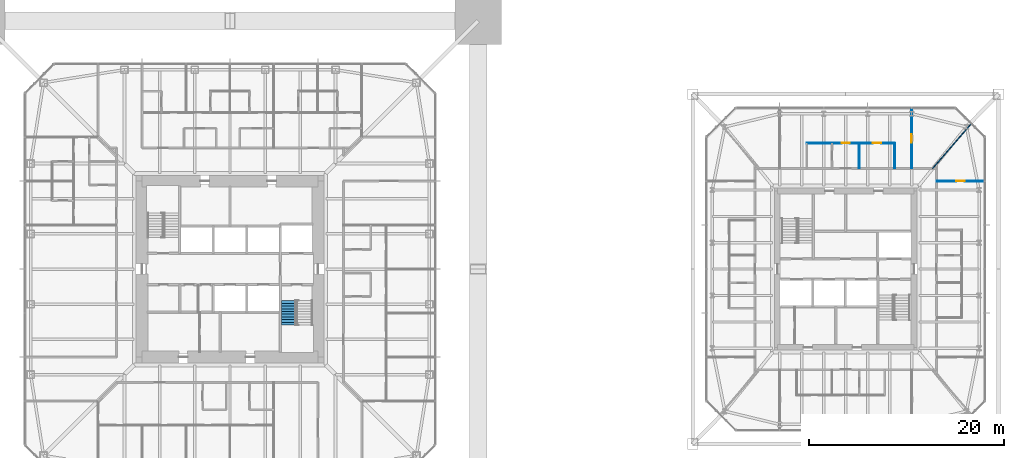
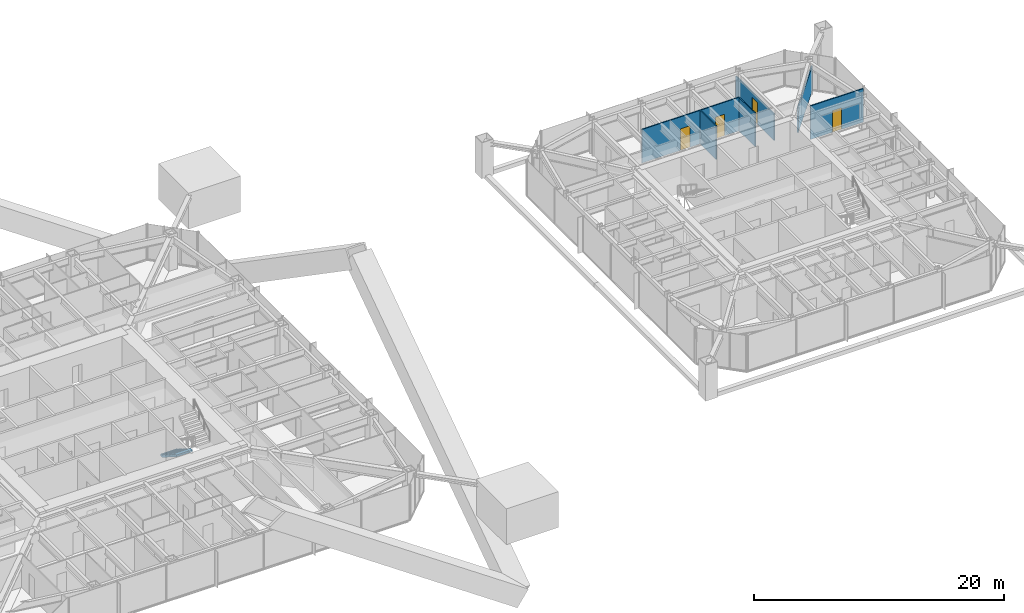
# One storey, part 20 of 26: 6 walls, 4 doors, 1 stair flight, 4 openings, 1 element without a shape of its own.
"""IFC4 building model written with IfcOpenShell, lengths in metres."""

from ifc_helpers import new_model, si_unit, direction, frame, frame_2d, origin, place, context, subcontext, project, spatial, polyline, rectangle, outline, extrude, material, layer, layer_set, constituent, constituent_set, type_object, element, fill, aggregate, save


model = new_model("IFC4")

# Units and contexts
model_context = context("Model", 3, precision=1e-05, world=origin(), true_north=direction((0.0, 1.0)))
body_context = subcontext(model_context, "Body", "Model", "MODEL_VIEW")
ifc_project = project(units=[si_unit("LENGTHUNIT", "METRE"), si_unit("AREAUNIT", "SQUARE_METRE"), si_unit("VOLUMEUNIT", "CUBIC_METRE"), si_unit("PLANEANGLEUNIT", "RADIAN"), si_unit("MASSUNIT", "GRAM", prefix="KILO")], contexts=[model_context])

# Site, building, storey
site_placement = place(None, origin())
site = spatial("IfcSite", under=ifc_project, at=site_placement, CompositionType="ELEMENT")
building_placement = place(site_placement, origin())
building = spatial("IfcBuilding", under=site, at=building_placement, Name="Iwan Alto Co-Living Towers", CompositionType="ELEMENT")
storey_placement = place(building_placement, frame((0.0, 0.0, 115.5)))
storey = spatial("IfcBuildingStorey", under=building, at=storey_placement, Name="L31", CompositionType="ELEMENT", Elevation=115.5)

# Wall, opening, door
ifc_material_1 = material(Name="Gypsum board")
ifc_layer_1 = layer(ifc_material_1, 0.012451171875, Name="Board", Category="Finish")
ifc_material_2 = material(Name="Steel ASTM A1003 ST33H cold-formed studs", Category="steel")
ifc_layer_2 = layer(ifc_material_2, 0.074951171875, Name="Studs", Category="Framing")
ifc_layer_3 = layer(ifc_material_1, 0.012451171875, Name="Board", Category="Finish")
ifc_layer_set = layer_set([ifc_layer_1, ifc_layer_2, ifc_layer_3], Name="PARTITION 100")
wall_type = type_object("IfcWallType", Name="PARTITION 100", PredefinedType="PARTITIONING", material=ifc_layer_set)
wall_1_placement = place(storey_placement, frame((72.300048828125, 9.0, 0.0), z_axis=(0.0, 0.0, 1.0), x_axis=(1.0, 0.0, 0.0)))
wall_1 = element("IfcWall", 1, at=wall_1_placement, inside=storey, type_object=wall_type, Name="Partition L31", PredefinedType="PARTITIONING", context=body_context, shape_type="SweptSolid", body=[
    extrude(rectangle(XDim=4.889892578125, YDim=0.10009765625, at=frame_2d((2.44482421875, 0.0))), origin(), (0.0, 0.0, 1.0), 3.27001953125),
])
opening_1_placement = place(wall_1_placement, frame((2.02001953125, 0.0, 0.0)))
opening_1 = element("IfcOpeningElement", 2, at=opening_1_placement, cuts=wall_1, Name="Opening D2", PredefinedType="OPENING", context=body_context, shape_type="SweptSolid", body=[
    extrude(rectangle(XDim=0.85009765625, YDim=2.10009765625, at=frame_2d((0.425048828125, 1.050048828125))), frame((0.0, 0.06005859375, 0.0), z_axis=(0.0, -1.0, 0.0), x_axis=(1.0, 0.0, 0.0)), (0.0, 0.0, 1.0), 0.1201171875),
])
ifc_material_3 = material(Name="Timber leaf in steel frame", Category="steel")
door_type = type_object("IfcDoorType", Name="ROOM DOOR 850X2100", OperationType="SINGLE_SWING_LEFT", PredefinedType="DOOR", material=ifc_material_3)
door_1_placement = place(opening_1_placement, frame((0.85009765625, 0.0, 0.0), z_axis=(0.0, 0.0, 1.0), x_axis=(-1.0, 0.0, 0.0)))
door_1 = element("IfcDoor", 3, at=door_1_placement, inside=storey, type_object=door_type, Name="Bedroom door L31", OperationType="SINGLE_SWING_RIGHT", OverallHeight=2.10009765625, OverallWidth=0.85009765625, PredefinedType="DOOR", context=body_context, shape_type="SweptSolid", body=[
    extrude(rectangle(XDim=0.85009765625, YDim=2.10009765625, at=frame_2d((0.425048828125, 1.050048828125))), frame((0.0, 0.02490234375, 0.0), z_axis=(0.0, -1.0, 0.0), x_axis=(1.0, 0.0, 0.0)), (0.0, 0.0, 1.0), 0.050048828125),
])
fill(opening_1, door_1)

# Wall, openings, doors
wall_2_placement = place(storey_placement, frame((59.0, 12.89990234375, 0.0), z_axis=(0.0, 0.0, 1.0), x_axis=(1.0, 0.0, 0.0)))
wall_2 = element("IfcWall", 4, at=wall_2_placement, inside=storey, type_object=wall_type, Name="Partition L31", PredefinedType="PARTITIONING", context=body_context, shape_type="SweptSolid", body=[
    extrude(rectangle(XDim=9.0, YDim=0.10009765625, at=frame_2d((4.5, 0.0))), origin(), (0.0, 0.0, 1.0), 3.27001953125),
])
opening_2_placement = place(wall_2_placement, frame((6.77490234375, 0.0, 0.0)))
opening_2 = element("IfcOpeningElement", 5, at=opening_2_placement, cuts=wall_2, Name="Opening D2", PredefinedType="OPENING", context=body_context, shape_type="SweptSolid", body=[
    extrude(rectangle(XDim=0.85009765625, YDim=2.10009765625, at=frame_2d((0.425048828125, 1.050048828125))), frame((0.0, 0.06005859375, 0.0), z_axis=(0.0, -1.0, 0.0), x_axis=(1.0, 0.0, 0.0)), (0.0, 0.0, 1.0), 0.1201171875),
])
opening_3_placement = place(wall_2_placement, frame((3.574951171875, 0.0, 0.0)))
opening_3 = element("IfcOpeningElement", 6, at=opening_3_placement, cuts=wall_2, Name="Opening D2", PredefinedType="OPENING", context=body_context, shape_type="SweptSolid", body=[
    extrude(rectangle(XDim=0.85009765625, YDim=2.10009765625, at=frame_2d((0.425048828125, 1.050048828125))), frame((0.0, 0.06005859375, 0.0), z_axis=(0.0, -1.0, 0.0), x_axis=(1.0, 0.0, 0.0)), (0.0, 0.0, 1.0), 0.1201171875),
])
door_2_placement = place(opening_2_placement, origin())
door_2 = element("IfcDoor", 7, at=door_2_placement, inside=storey, type_object=door_type, Name="Kitchen door L31", OperationType="SINGLE_SWING_RIGHT", OverallHeight=2.10009765625, OverallWidth=0.85009765625, PredefinedType="DOOR", context=body_context, shape_type="SweptSolid", body=[
    extrude(rectangle(XDim=0.85009765625, YDim=2.10009765625, at=frame_2d((0.425048828125, 1.050048828125))), frame((0.0, 0.02490234375, 0.0), z_axis=(0.0, -1.0, 0.0), x_axis=(1.0, 0.0, 0.0)), (0.0, 0.0, 1.0), 0.050048828125),
])
fill(opening_2, door_2)
door_3_placement = place(opening_3_placement, origin())
door_3 = element("IfcDoor", 8, at=door_3_placement, inside=storey, type_object=door_type, Name="Apartment foyer door L31", OperationType="SINGLE_SWING_LEFT", OverallHeight=2.10009765625, OverallWidth=0.85009765625, PredefinedType="DOOR", context=body_context, shape_type="SweptSolid", body=[
    extrude(rectangle(XDim=0.85009765625, YDim=2.10009765625, at=frame_2d((0.425048828125, 1.050048828125))), frame((0.0, 0.02490234375, 0.0), z_axis=(0.0, -1.0, 0.0), x_axis=(1.0, 0.0, 0.0)), (0.0, 0.0, 1.0), 0.050048828125),
])
fill(opening_3, door_3)

# Wall
wall_3_placement = place(storey_placement, frame((71.89501953125, 10.300048828125, 0.0), z_axis=(0.0, 0.0, 1.0), x_axis=(0.65378286253, 0.756682211144, 0.0)))
element("IfcWall", 9, at=wall_3_placement, inside=storey, type_object=wall_type, Name="Partition L31", PredefinedType="PARTITIONING", context=body_context, shape_type="SweptSolid", body=[
    extrude(rectangle(XDim=6.005126953125, YDim=0.10009765625, at=frame_2d((3.00244140625, 0.0))), origin(), (0.0, 0.0, 1.0), 2.42919921875),
])

# Wall, opening, door
wall_4_placement = place(storey_placement, frame((69.75, 10.300048828125, 0.0), z_axis=(0.0, 0.0, 1.0), x_axis=(0.0, 1.0, 0.0)))
wall_4 = element("IfcWall", 10, at=wall_4_placement, inside=storey, type_object=wall_type, Name="Partition L31", PredefinedType="PARTITIONING", context=body_context, shape_type="SweptSolid", body=[
    extrude(rectangle(XDim=6.139892578125, YDim=0.10009765625, at=frame_2d((3.06982421875, 0.0))), origin(), (0.0, 0.0, 1.0), 2.586669921875),
])
opening_4_placement = place(wall_4_placement, frame((2.64501953125, 0.0, 0.0)))
opening_4 = element("IfcOpeningElement", 11, at=opening_4_placement, cuts=wall_4, Name="Opening D2", PredefinedType="OPENING", context=body_context, shape_type="SweptSolid", body=[
    extrude(rectangle(XDim=0.85009765625, YDim=2.10009765625, at=frame_2d((0.425048828125, 1.050048828125))), frame((0.0, 0.06005859375, 0.0), z_axis=(0.0, -1.0, 0.0), x_axis=(1.0, 0.0, 0.0)), (0.0, 0.0, 1.0), 0.1201171875),
])
door_4_placement = place(opening_4_placement, origin())
door_4 = element("IfcDoor", 12, at=door_4_placement, inside=storey, type_object=door_type, Name="Study door L31", OperationType="SINGLE_SWING_LEFT", OverallHeight=2.10009765625, OverallWidth=0.85009765625, PredefinedType="DOOR", context=body_context, shape_type="SweptSolid", body=[
    extrude(rectangle(XDim=0.85009765625, YDim=2.10009765625, at=frame_2d((0.425048828125, 1.050048828125))), frame((0.0, 0.02490234375, 0.0), z_axis=(0.0, -1.0, 0.0), x_axis=(1.0, 0.0, 0.0)), (0.0, 0.0, 1.0), 0.050048828125),
])
fill(opening_4, door_4)

# Walls
for number, where, z_axis, x_axis, name in (
    (13, (68.0, 10.300048828125, 0.0), (0.0, 0.0, 1.0), (0.0, 1.0, 0.0), "Partition L31"),
    (14, (64.39990234375, 10.300048828125, 0.0), (0.0, 0.0, 1.0), (0.0, 1.0, 0.0), "Partition L31"),
):
    element("IfcWall", number, at=place(storey_placement, frame(where, z_axis=z_axis, x_axis=x_axis)), inside=storey, type_object=wall_type, Name=name, PredefinedType="PARTITIONING", context=body_context, shape_type="SweptSolid", body=[
        extrude(rectangle(XDim=2.599853515625, YDim=0.10009765625, at=frame_2d((1.2998046875, 0.0))), origin(), (0.0, 0.0, 1.0), 3.27001953125),
    ])

# Stair, stair flight
ifc_material_4 = material(Name="Steel ASTM A36", Category="steel")
ifc_constituent_1 = constituent(ifc_material_4, Name="Stringers", Category="LoadBearing")
ifc_material_5 = material(Name="Concrete f'c 30 MPa", Category="concrete")
ifc_constituent_2 = constituent(ifc_material_5, Name="Tread fill", Category="Finish")
ifc_constituent_set_1 = constituent_set(constituents=[ifc_constituent_1, ifc_constituent_2], Name="STAIR 3500 TWO-FLIGHT T1 CORE")
stair_type = type_object("IfcStairType", Name="STAIR 3500 TWO-FLIGHT T1 CORE", PredefinedType="HALF_TURN_STAIR", material=ifc_constituent_set_1)
stair_placement = place(storey_placement, origin())
stair = element("IfcStair", 15, at=stair_placement, inside=storey, type_object=stair_type, Name="Stair T1-S2 L31 to L32", PredefinedType="HALF_TURN_STAIR")
ifc_constituent_3 = constituent(ifc_material_4, Name="Stringers", Category="LoadBearing")
ifc_constituent_4 = constituent(ifc_material_5, Name="Tread fill", Category="Finish")
ifc_constituent_set_2 = constituent_set(constituents=[ifc_constituent_3, ifc_constituent_4], Name="STAIR FLIGHT 10 RISERS 280 GOING")
stair_flight_type = type_object("IfcStairFlightType", Name="STAIR FLIGHT 10 RISERS 280 GOING", PredefinedType="STRAIGHT", material=ifc_constituent_set_2)
stair_flight_placement = place(storey_placement, frame((6.010009765625, -3.219970703125, 0.0), z_axis=(0.0, 0.0, 1.0), x_axis=(0.0, -1.0, 0.0)))
stair_flight = element("IfcStairFlight", 16, at=stair_flight_placement, type_object=stair_flight_type, Name="T1-S2 flight 1", NumberOfRisers=10, NumberOfTreads=9, PredefinedType="STRAIGHT", RiserHeight=0.175, TreadLength=0.28, context=body_context, shape_type="SweptSolid", body=[
    extrude(outline(polyline([(0.0, 0.0), (0.0, 0.175048828125), (0.280029296875, 0.175048828125), (0.280029296875, 0.35009765625), (0.56005859375, 0.35009765625), (0.56005859375, 0.52490234375), (0.840087890625, 0.52490234375), (0.840087890625, 0.699951171875), (1.1201171875, 0.699951171875), (1.1201171875, 0.875), (1.39990234375, 0.875), (1.39990234375, 1.050048828125), (1.679931640625, 1.050048828125), (1.679931640625, 1.22509765625), (1.9599609375, 1.22509765625), (1.9599609375, 1.39990234375), (2.239990234375, 1.39990234375), (2.239990234375, 1.574951171875), (2.52001953125, 1.574951171875), (2.52001953125, 1.75), (2.52001953125, 1.398193359375), (0.28271484375, 0.0), (0.0, 0.0)])), frame((0.0, 0.739990234375, 0.0), z_axis=(0.0, -1.0, 0.0), x_axis=(1.0, 0.0, 0.0)), (0.0, 0.0, 1.0), 1.47998046875),
])
aggregate(stair, [stair_flight])

save(model, "model.ifc")
